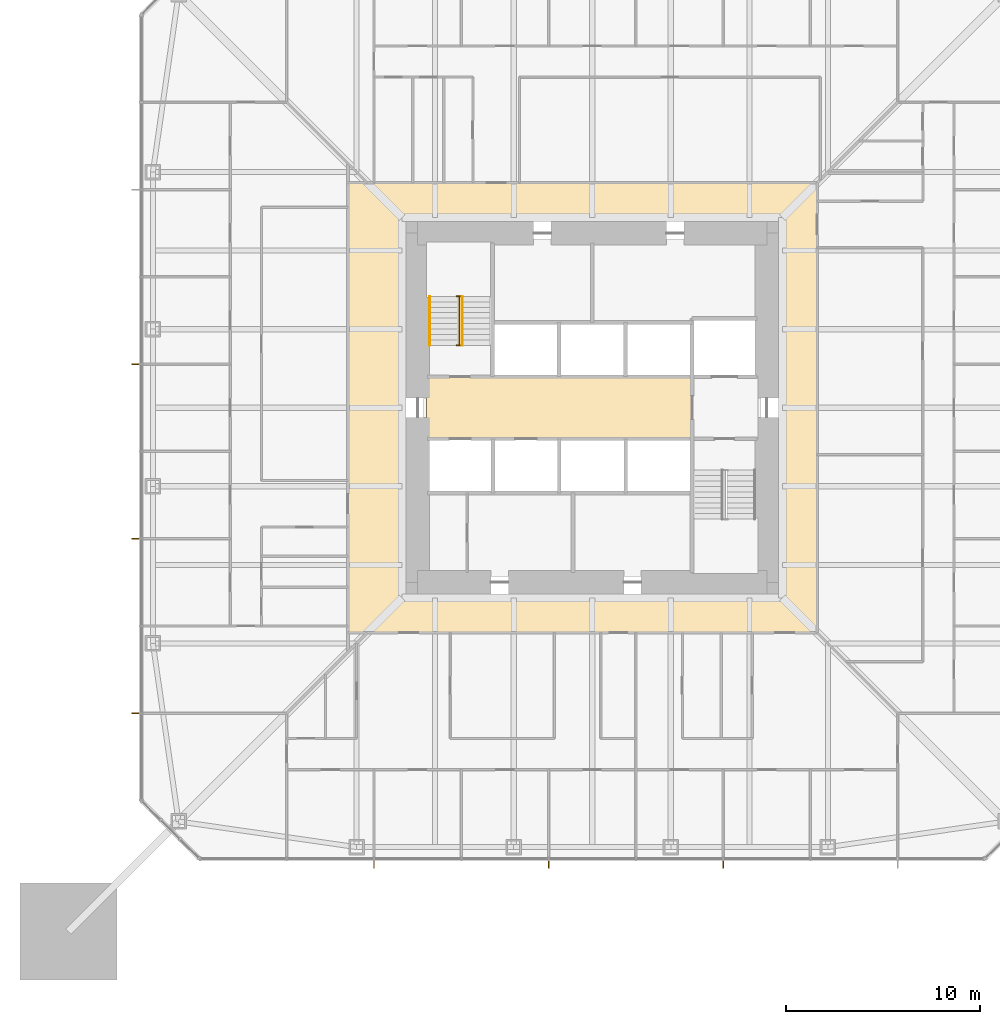
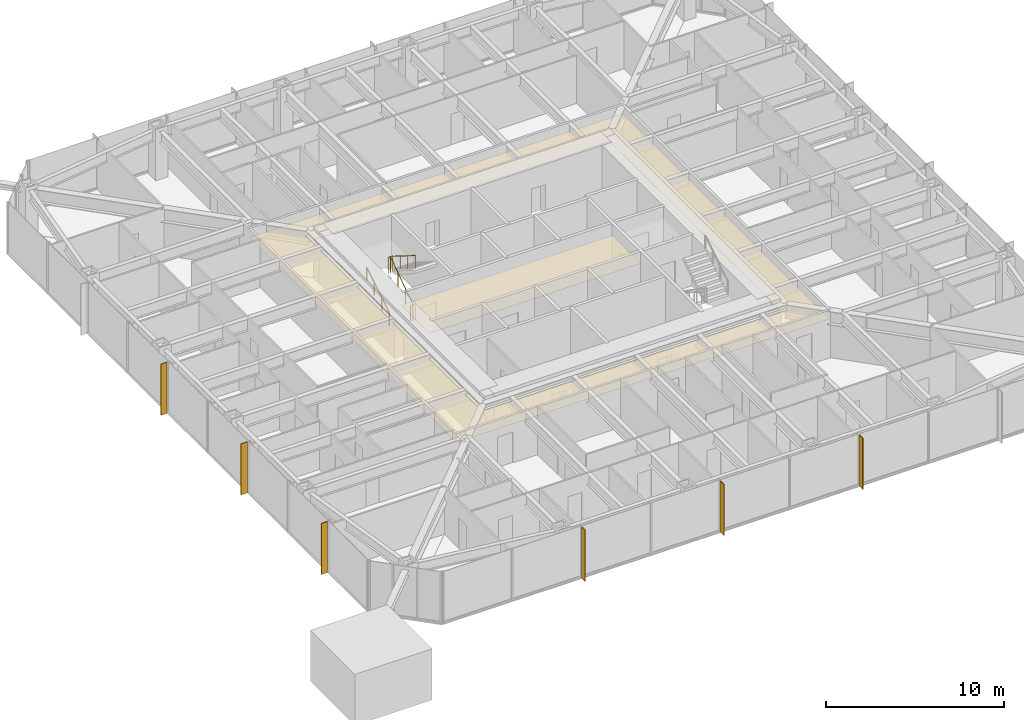
# One storey, part 23 of 26: 6 shading devices, 3 railings, 2 coverings.
"""IFC4 building model written with IfcOpenShell, lengths in metres."""

from ifc_helpers import new_model, si_unit, direction, frame, origin, origin_2d, place, context, subcontext, project, spatial, polyline, rectangle, circle, outline, extrude, material, layer, layer_set, constituent, constituent_set, type_object, element, save


model = new_model("IFC4")

# Units and contexts
model_context = context("Model", 3, precision=1e-05, world=origin(), true_north=direction((0.0, 1.0)))
body_context = subcontext(model_context, "Body", "Model", "MODEL_VIEW")
ifc_project = project(units=[si_unit("LENGTHUNIT", "METRE"), si_unit("AREAUNIT", "SQUARE_METRE"), si_unit("VOLUMEUNIT", "CUBIC_METRE"), si_unit("PLANEANGLEUNIT", "RADIAN"), si_unit("MASSUNIT", "GRAM", prefix="KILO")], contexts=[model_context])

# Site, building, storey
site_placement = place(None, origin())
site = spatial("IfcSite", under=ifc_project, at=site_placement, CompositionType="ELEMENT")
building_placement = place(site_placement, origin())
building = spatial("IfcBuilding", under=site, at=building_placement, Name="Iwan Alto Co-Living Towers", CompositionType="ELEMENT")
storey_placement = place(building_placement, frame((0.0, 0.0, 46.5)))
storey = spatial("IfcBuildingStorey", under=building, at=storey_placement, Name="L12", CompositionType="ELEMENT", Elevation=46.5)

# Covering
ifc_material_1 = material(Name="Mineral fibre acoustic tiles on steel grid", Category="steel")
ifc_layer_1 = layer(ifc_material_1, 0.02001953125)
ifc_layer_set_1 = layer_set([ifc_layer_1], Name="ACOUSTIC TILE CEILING 20")
covering_type_1 = type_object("IfcCoveringType", Name="ACOUSTIC TILE CEILING 20", PredefinedType="CEILING", material=ifc_layer_set_1)
covering_1_placement = place(storey_placement, frame((0.0, 0.0, 2.60009765625)))
element("IfcCovering", 1, at=covering_1_placement, inside=storey, type_object=covering_type_1, Name="Ceiling Lift lobby L12", PredefinedType="CEILING", context=body_context, shape_type="SweptSolid", body=[
    extrude(outline(polyline([(-8.550048828125, -1.60009765625), (-8.550048828125, 1.60009765625), (5.14990234375, 1.60009765625), (5.14990234375, -1.60009765625), (-8.550048828125, -1.60009765625)])), origin(), (0.0, 0.0, 1.0), 0.02001953125),
])

# Shading devices
ifc_material_2 = material(Name="Aluminium 6063-T6 bronze anodised", Category="aluminium")
ifc_layer_2 = layer(ifc_material_2, 0.050048828125)
ifc_layer_set_2 = layer_set([ifc_layer_2], Name="BRONZE FIN 50X400")
shading_device_type = type_object("IfcShadingDeviceType", Name="BRONZE FIN 50X400", PredefinedType="USERDEFINED", material=ifc_layer_set_2)
for number, where, z_axis, x_axis, name in (
    (2, (-11.25, -23.550048828125, 0.0), (0.0, 0.0, 1.0), (1.0, 0.0, 0.0), "Bronze fin L12"),
    (3, (-2.25, -23.550048828125, 0.0), (0.0, 0.0, 1.0), (1.0, 0.0, 0.0), "Bronze fin L12"),
    (4, (6.75, -23.550048828125, 0.0), (0.0, 0.0, 1.0), (1.0, 0.0, 0.0), "Bronze fin L12"),
    (5, (-23.550048828125, 2.25, 0.0), (0.0, 0.0, 1.0), (0.0, -1.0, 0.0), "Bronze fin L12"),
    (6, (-23.550048828125, -6.75, 0.0), (0.0, 0.0, 1.0), (0.0, -1.0, 0.0), "Bronze fin L12"),
    (7, (-23.550048828125, -15.75, 0.0), (0.0, 0.0, 1.0), (0.0, -1.0, 0.0), "Bronze fin L12"),
):
    element("IfcShadingDevice", number, at=place(storey_placement, frame(where, z_axis=z_axis, x_axis=x_axis)), inside=storey, type_object=shading_device_type, Name=name, ObjectType="LOUVER", PredefinedType="USERDEFINED", context=body_context, shape_type="SweptSolid", body=[
        extrude(rectangle(XDim=0.050048828125, YDim=0.39990234375, at=origin_2d()), origin(), (0.0, 0.0, 1.0), 3.5),
    ])

# Railings
ifc_material_3 = material(Name="Steel ASTM A500 Gr C", Category="steel")
ifc_constituent_1 = constituent(ifc_material_3, Name="Rails and posts", Category="Framing")
ifc_material_4 = material(Name="Steel ASTM A36", Category="steel")
ifc_constituent_2 = constituent(ifc_material_4, Name="Bar infill", Category="Infill")
ifc_constituent_set = constituent_set(constituents=[ifc_constituent_1, ifc_constituent_2], Name="STAIR GUARD 1100")
railing_type_1 = type_object("IfcRailingType", Name="STAIR GUARD 1100", PredefinedType="GUARDRAIL", material=ifc_constituent_set)
railing_1_placement = place(storey_placement, frame((-6.85009765625, 3.219970703125, 0.0)))
element("IfcRailing", 8, at=railing_1_placement, inside=storey, type_object=railing_type_1, Name="Stair T1-S1 well guard L12", PredefinedType="GUARDRAIL", context=body_context, shape_type="SweptSolid", body=[
    extrude(circle(Radius=0.02392578125, at=origin_2d()), frame((0.0, 0.0, 1.076171875), z_axis=(0.0, 0.821372036852, 0.570392826987), x_axis=(-1.0, 0.0, 0.0)), (0.0, 0.0, 1.0), 3.068115234375),
    extrude(circle(Radius=0.02392578125, at=origin_2d()), frame((-0.14990234375, 0.0, 1.076171875), z_axis=(1.0, 0.0, 0.0), x_axis=(0.0, 1.0, 0.0)), (0.0, 0.0, 1.0), 0.300048828125),
    extrude(circle(Radius=0.02392578125, at=origin_2d()), frame((-0.14990234375, 2.52001953125, 2.826171875), z_axis=(1.0, 0.0, 0.0), x_axis=(0.0, 1.0, 0.0)), (0.0, 0.0, 1.0), 0.300048828125),
    extrude(circle(Radius=0.02099609375, at=origin_2d()), origin(), (0.0, 0.0, 1.0), 1.052001953125),
    extrude(circle(Radius=0.02099609375, at=origin_2d()), frame((0.0, 0.840087890625, 0.583251953125)), (0.0, 0.0, 1.0), 1.052001953125),
    extrude(circle(Radius=0.02099609375, at=origin_2d()), frame((0.0, 1.679931640625, 1.166748046875)), (0.0, 0.0, 1.0), 1.052001953125),
    extrude(circle(Radius=0.02099609375, at=origin_2d()), frame((0.0, 2.52001953125, 1.75)), (0.0, 0.0, 1.0), 1.052001953125),
    extrude(circle(Radius=0.02099609375, at=origin_2d()), frame((-0.14990234375, 0.0, 0.0)), (0.0, 0.0, 1.0), 1.052001953125),
    extrude(circle(Radius=0.02099609375, at=origin_2d()), frame((0.150146484375, 0.0, 0.0)), (0.0, 0.0, 1.0), 1.052001953125),
    extrude(circle(Radius=0.02099609375, at=origin_2d()), frame((-0.14990234375, 2.52001953125, 1.75)), (0.0, 0.0, 1.0), 1.052001953125),
    extrude(circle(Radius=0.02099609375, at=origin_2d()), frame((0.150146484375, 2.52001953125, 1.75)), (0.0, 0.0, 1.0), 1.052001953125),
])
ifc_material_5 = material(Name="Steel ASTM A500 Gr C", Category="steel")
railing_type_2 = type_object("IfcRailingType", Name="STAIR HANDRAIL 900", PredefinedType="HANDRAIL", material=ifc_material_5)
railing_2_placement = place(storey_placement, frame((-8.3798828125, 3.219970703125, 0.175048828125)))
element("IfcRailing", 9, at=railing_2_placement, inside=storey, type_object=railing_type_2, Name="Stair T1-S1 handrail 1 L12", PredefinedType="HANDRAIL", context=body_context, shape_type="SweptSolid", body=[
    extrude(circle(Radius=0.02392578125, at=origin_2d()), frame((0.0, 0.0, 0.8759765625), z_axis=(0.0, 0.848007534815, 0.529984170421), x_axis=(-1.0, 0.0, 0.0)), (0.0, 0.0, 1.0), 2.9716796875),
    extrude(circle(Radius=0.02099609375, at=origin_2d()), origin(), (0.0, 0.0, 1.0), 0.851806640625),
    extrude(circle(Radius=0.02099609375, at=origin_2d()), frame((0.0, 0.840087890625, 0.52490234375)), (0.0, 0.0, 1.0), 0.851806640625),
    extrude(circle(Radius=0.02099609375, at=origin_2d()), frame((0.0, 1.679931640625, 1.050048828125)), (0.0, 0.0, 1.0), 0.851806640625),
    extrude(circle(Radius=0.02099609375, at=origin_2d()), frame((0.0, 2.52001953125, 1.574951171875)), (0.0, 0.0, 1.0), 0.851806640625),
])
railing_3_placement = place(storey_placement, frame((-6.699951171875, 5.739990234375, 1.925048828125)))
element("IfcRailing", 10, at=railing_3_placement, inside=storey, type_object=railing_type_2, Name="Stair T1-S1 handrail 2 L12", PredefinedType="HANDRAIL", context=body_context, shape_type="SweptSolid", body=[
    extrude(circle(Radius=0.02392578125, at=origin_2d()), frame((0.0, 0.0, 0.8759765625), z_axis=(0.0, -0.848007534815, 0.529984170421), x_axis=(1.0, 0.0, 0.0)), (0.0, 0.0, 1.0), 2.9716796875),
    extrude(circle(Radius=0.02099609375, at=origin_2d()), origin(), (0.0, 0.0, 1.0), 0.851806640625),
    extrude(circle(Radius=0.02099609375, at=origin_2d()), frame((0.0, -0.840087890625, 0.52490234375)), (0.0, 0.0, 1.0), 0.851806640625),
    extrude(circle(Radius=0.02099609375, at=origin_2d()), frame((0.0, -1.679931640625, 1.050048828125)), (0.0, 0.0, 1.0), 0.851806640625),
    extrude(circle(Radius=0.02099609375, at=origin_2d()), frame((0.0, -2.52001953125, 1.574951171875)), (0.0, 0.0, 1.0), 0.851806640625),
])

# Covering
ifc_material_6 = material(Name="Gypsum plasterboard on steel grid", Category="steel")
ifc_layer_3 = layer(ifc_material_6, 0.014892578125)
ifc_layer_set_3 = layer_set([ifc_layer_3], Name="SUSPENDED PLASTERBOARD CEILING 15")
covering_type_2 = type_object("IfcCoveringType", Name="SUSPENDED PLASTERBOARD CEILING 15", PredefinedType="CEILING", material=ifc_layer_set_3)
covering_2_placement = place(storey_placement, frame((0.0, 0.0, 2.60009765625)))
element("IfcCovering", 11, at=covering_2_placement, inside=storey, type_object=covering_type_2, Name="Ceiling Corridor L12", PredefinedType="CEILING", context=body_context, shape_type="SweptSolid", body=[
    extrude(outline(polyline([(-12.60009765625, 11.60009765625), (11.60009765625, 11.60009765625), (11.60009765625, -11.60009765625), (-12.60009765625, -11.60009765625), (-12.60009765625, 11.60009765625)]), holes=[polyline([(-9.60009765625, 9.60009765625), (-9.60009765625, -9.60009765625), (9.60009765625, -9.60009765625), (9.60009765625, 9.60009765625), (-9.60009765625, 9.60009765625)])]), origin(), (0.0, 0.0, 1.0), 0.014892578125),
])

save(model, "model.ifc")
